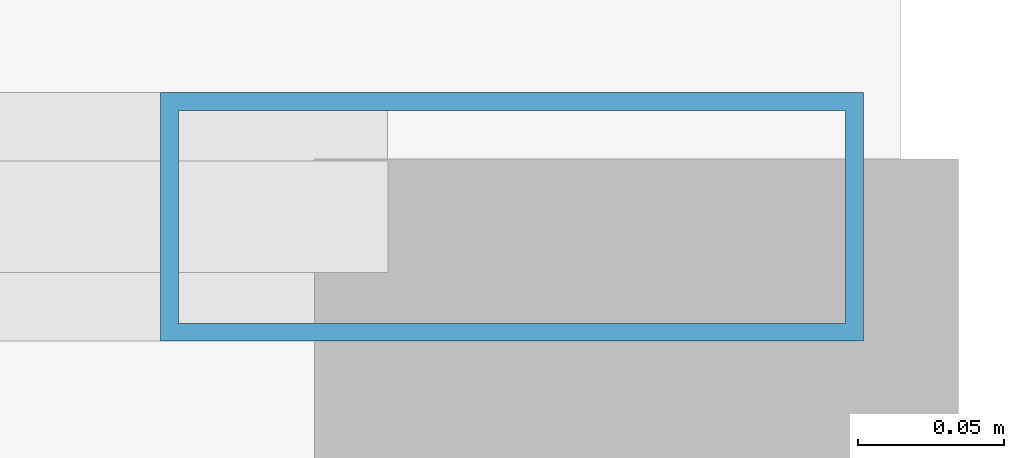
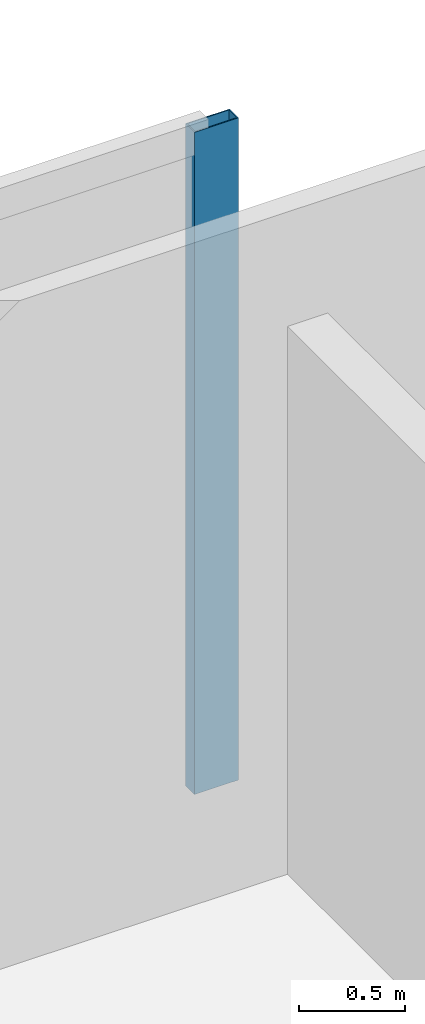
# One storey, part 24 of 30: 1 member, 1 element without a shape of its own.
"""IFC4 building model written with IfcOpenShell, lengths in metres."""

from ifc_helpers import new_model, si_unit, direction, frame, origin, origin_2d, place, context, subcontext, project, spatial, hollow_rectangle, extrude, material, material_profile, profile_set, type_object, element, aggregate, save


model = new_model("IFC4")

# Units and contexts
model_context = context("Model", 3, precision=1e-05, world=origin(), true_north=direction((0.0, 1.0)))
body_context = subcontext(model_context, "Body", "Model", "MODEL_VIEW")
ifc_project = project(units=[si_unit("LENGTHUNIT", "METRE"), si_unit("AREAUNIT", "SQUARE_METRE"), si_unit("VOLUMEUNIT", "CUBIC_METRE"), si_unit("PLANEANGLEUNIT", "RADIAN"), si_unit("MASSUNIT", "GRAM", prefix="KILO")], contexts=[model_context])

# Site, building, storey
site_placement = place(None, origin())
site = spatial("IfcSite", under=ifc_project, at=site_placement, CompositionType="ELEMENT")
building_placement = place(site_placement, origin())
building = spatial("IfcBuilding", under=site, at=building_placement, Name="Khoronbel Lancet Exchange", CompositionType="ELEMENT")
storey_placement = place(building_placement, frame((0.0, 0.0, 90.60009765625)))
storey = spatial("IfcBuildingStorey", under=building, at=storey_placement, Name="L21", CompositionType="ELEMENT", Elevation=90.60009765625)

# Curtain wall, member
ifc_material_1 = material(Name="Low-E Solar Control Insulating Glass", Category="glass")
curtain_wall_type = type_object("IfcCurtainWallType", Name="CW-2", PredefinedType="NOTDEFINED", material=ifc_material_1)
curtain_wall_placement = place(storey_placement, origin())
curtain_wall = element("IfcCurtainWall", 1, at=curtain_wall_placement, inside=storey, type_object=curtain_wall_type, Name="Unitised curtain wall CW-L21-NEFLK", PredefinedType="NOTDEFINED")
ifc_material_2 = material(Name="Bronze-Anodised Aluminium 6063-T6", Category="aluminium")
ifc_material_profile = material_profile(ifc_material_2, hollow_rectangle(XDim=0.0849609375, YDim=0.239990234375, WallThickness=0.006103515625, at=origin_2d()), Name="ALU MULLION 85x240")
ifc_profile_set = profile_set([ifc_material_profile], Name="Bronze-Anodised Aluminium 6063-T6")
member_type = type_object("IfcMemberType", Name="MEM-CWM1", PredefinedType="MULLION", material=ifc_profile_set)
member_placement = place(storey_placement, frame((65.91748046875, 53.610107421875, 0.0), z_axis=(0.0, 0.0, 1.0), x_axis=(0.0, -1.0, 0.0)))
member = element("IfcMember", 2, at=member_placement, type_object=member_type, Name="CW2 mullion 1", PredefinedType="MULLION", context=body_context, shape_type="SweptSolid", body=[
    extrude(hollow_rectangle(XDim=0.0849609375, YDim=0.239990234375, WallThickness=0.006103515625, at=origin_2d()), origin(), (0.0, 0.0, 1.0), 3.81982421875),
])
aggregate(curtain_wall, [member])

save(model, "model.ifc")
